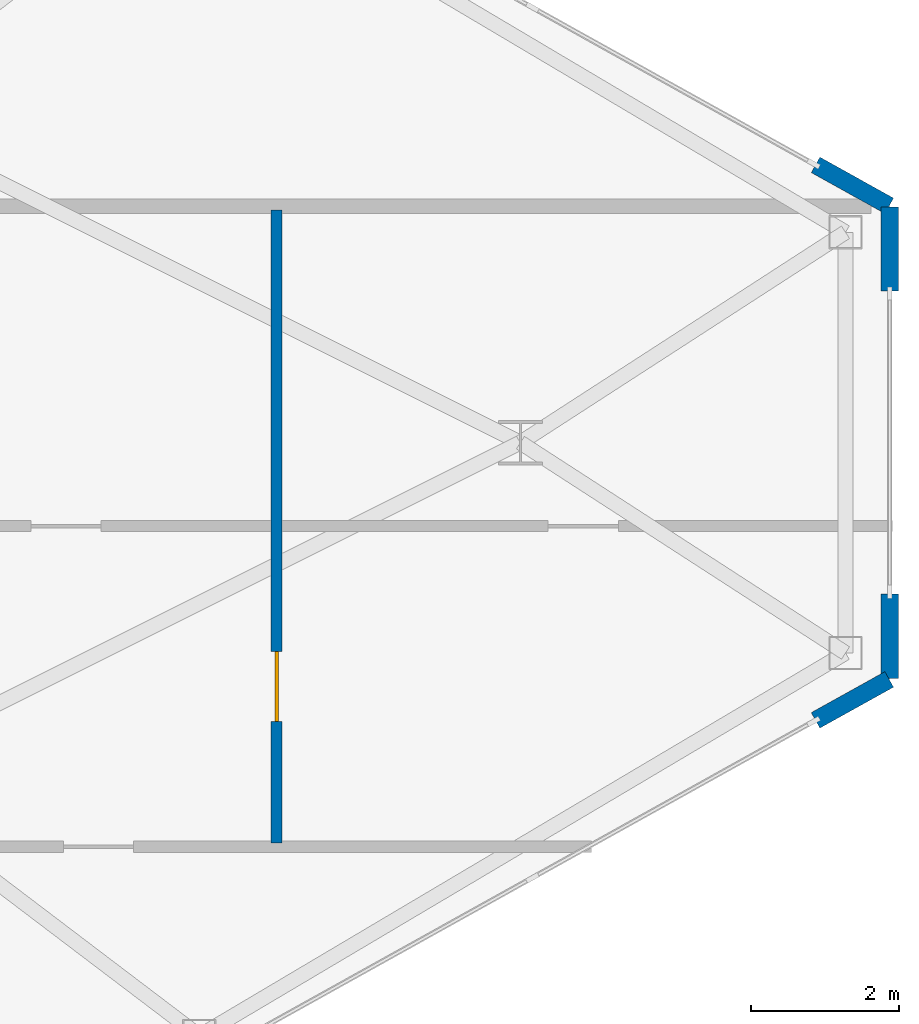
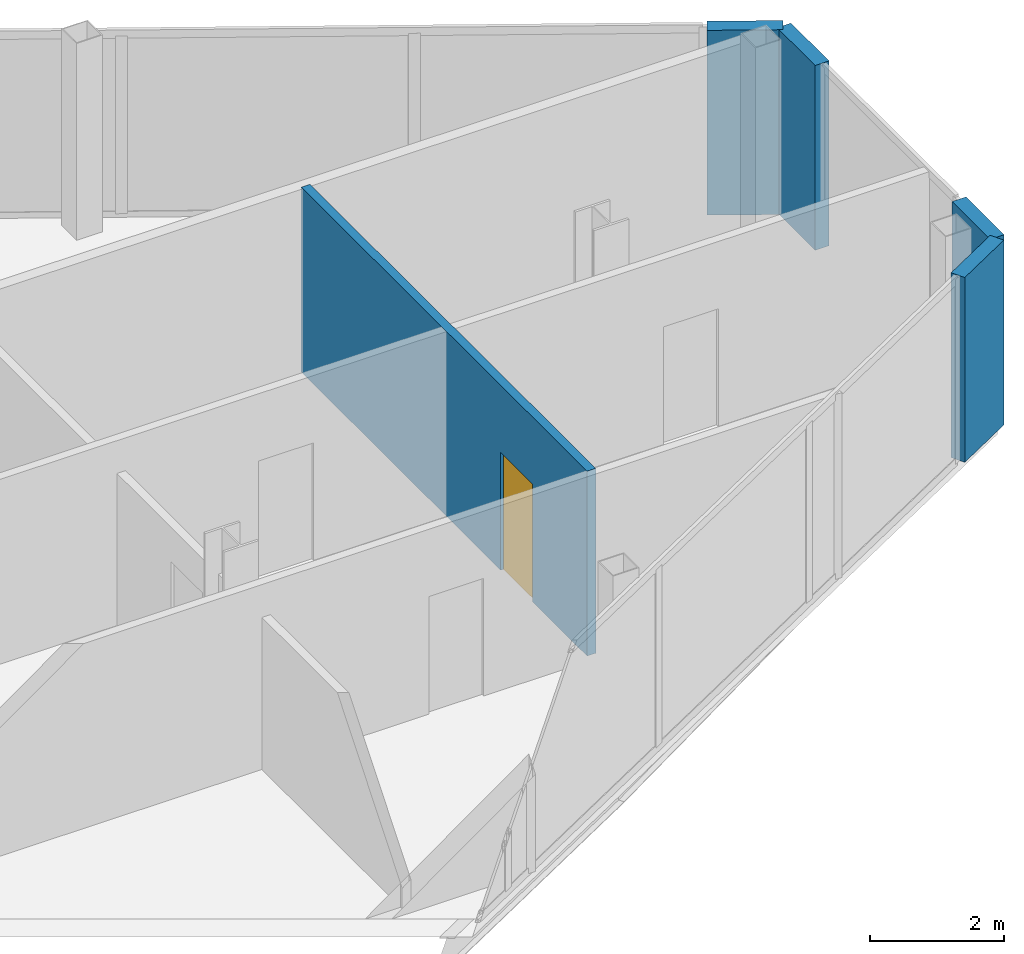
# One storey, part 23 of 26: 5 walls, 1 door, 1 opening.
"""IFC4 building model written with IfcOpenShell, lengths in metres."""

from ifc_helpers import new_model, si_unit, direction, frame, frame_2d, origin, place, context, subcontext, project, spatial, rectangle, extrude, source, transform, mapped, material, layer, layer_set, type_object, type_shapes, element, fill, save


model = new_model("IFC4")

# Units and contexts
model_context = context("Model", 3, precision=1e-05, world=origin(), true_north=direction((0.0, 1.0)))
body_context = subcontext(model_context, "Body", "Model", "MODEL_VIEW")
ifc_project = project(units=[si_unit("LENGTHUNIT", "METRE"), si_unit("AREAUNIT", "SQUARE_METRE"), si_unit("VOLUMEUNIT", "CUBIC_METRE"), si_unit("PLANEANGLEUNIT", "RADIAN"), si_unit("MASSUNIT", "GRAM", prefix="KILO")], contexts=[model_context])

# Site, building, storey
site_placement = place(None, origin())
site = spatial("IfcSite", under=ifc_project, at=site_placement, CompositionType="ELEMENT")
building_placement = place(site_placement, origin())
building = spatial("IfcBuilding", under=site, at=building_placement, Name="Seokmaru Belvedere", CompositionType="ELEMENT")
storey_placement = place(building_placement, frame((0.0, 0.0, 192.300048828125)))
storey = spatial("IfcBuildingStorey", under=building, at=storey_placement, Name="L51", CompositionType="ELEMENT", Elevation=192.300048828125)

# Wall, opening, door
ifc_material_1 = material(Name="Fire-Rated Gypsum Shaftwall")
ifc_layer_1 = layer(ifc_material_1, 0.14990234375)
ifc_layer_set_1 = layer_set([ifc_layer_1], Name="Fire-Rated Gypsum Shaftwall")
wall_type_1 = type_object("IfcWallType", Name="Apartment Fire-Acoustic Room Partition 150", PredefinedType="PARTITIONING", material=ifc_layer_set_1)
wall_placement = place(storey_placement, frame((60.199951171875, -5.4169921875, 0.0), z_axis=(0.0, 0.0, 1.0), x_axis=(0.0, 1.0, 0.0)))
wall = element("IfcWall", 1, at=wall_placement, inside=storey, type_object=wall_type_1, Name="L51 Interior Partition 039", PredefinedType="PARTITIONING", context=body_context, shape_type="SweptSolid", body=[
    extrude(rectangle(XDim=8.56689453125, YDim=0.14990234375, at=frame_2d((4.283447265625, 0.0))), origin(), (0.0, 0.0, 1.0), 3.3798828125),
])
opening_placement = place(wall_placement, frame((1.64208984375, 0.0, 0.0)))
opening = element("IfcOpeningElement", 2, at=opening_placement, cuts=wall, Name="Opening D05", PredefinedType="OPENING", context=body_context, shape_type="SweptSolid", body=[
    extrude(rectangle(XDim=0.949951171875, YDim=2.14990234375, at=frame_2d((0.47509765625, 1.074951171875))), frame((0.0, 0.0849609375, 0.0), z_axis=(0.0, -1.0, 0.0), x_axis=(1.0, 0.0, 0.0)), (0.0, 0.0, 1.0), 0.169921875),
])
ifc_material_2 = material(Name="Engineered White Oak Timber", Category="wood")
door_type = type_object("IfcDoorType", Name="Apartment Interior Fire-Rated Oak Door 950x2150", OperationType="NOTDEFINED", PredefinedType="DOOR", material=ifc_material_2)
shared_shape = source(origin(), body_context, "Body", "SweptSolid", [
    extrude(rectangle(XDim=0.949951171875, YDim=2.14990234375, at=frame_2d((0.47509765625, 1.074951171875))), frame((0.0, 0.02490234375, 0.0), z_axis=(0.0, -1.0, 0.0), x_axis=(1.0, 0.0, 0.0)), (0.0, 0.0, 1.0), 0.050048828125),
])
type_shapes(door_type, [shared_shape])
door_placement = place(opening_placement, origin())
door = element("IfcDoor", 3, at=door_placement, inside=storey, type_object=door_type, Name="L51 Interior Door 022", OperationType="SINGLE_SWING_LEFT", OverallHeight=2.14990234375, OverallWidth=0.949951171875, PredefinedType="DOOR", context=body_context, shape_type="MappedRepresentation", body=[
    mapped(shared_shape, transform((0.0, 0.0, 0.0), scale=1.0)),
])
fill(opening, door)

# Walls
ifc_material_3 = material(Name="Anodised Bronze Aluminium", Category="aluminium")
ifc_layer_2 = layer(ifc_material_3, 0.239990234375)
ifc_layer_set_2 = layer_set([ifc_layer_2], Name="Anodised Bronze Aluminium")
wall_type_2 = type_object("IfcWallType", Name="Tower Corner Spandrel Closure Wall 240", PredefinedType="SOLIDWALL", material=ifc_layer_set_2)
for number, where, z_axis, x_axis, name in (
    (4, (67.4951171875, -3.759033203125, 0.0), (0.0, 0.0, 1.0), (0.87385402111, 0.486188389196, 0.0), "L51 E Corner Closure Pier 1B"),
    (5, (68.5, -3.18994140625, 0.0), (0.0, 0.0, 1.0), (0.0, 1.0, 0.0), "L51 E Corner Closure Pier 2A"),
    (6, (68.5, 2.050048828125, 0.0), (0.0, 0.0, 1.0), (0.0, 1.0, 0.0), "L51 E Corner Closure Pier 2B"),
    (7, (68.4912109375, 3.204833984375, 0.0), (0.0, 0.0, 1.0), (-0.87385402111, 0.486188389196, 0.0), "L51 E Corner Closure Pier 3A"),
):
    element("IfcWall", number, at=place(storey_placement, frame(where, z_axis=z_axis, x_axis=x_axis)), inside=storey, type_object=wall_type_2, Name=name, PredefinedType="SOLIDWALL", context=body_context, shape_type="SweptSolid", body=[
        extrude(rectangle(XDim=1.139892578125, YDim=0.239990234375, at=frame_2d((0.56982421875, 0.0))), origin(), (0.0, 0.0, 1.0), 3.3798828125),
    ])

save(model, "model.ifc")
